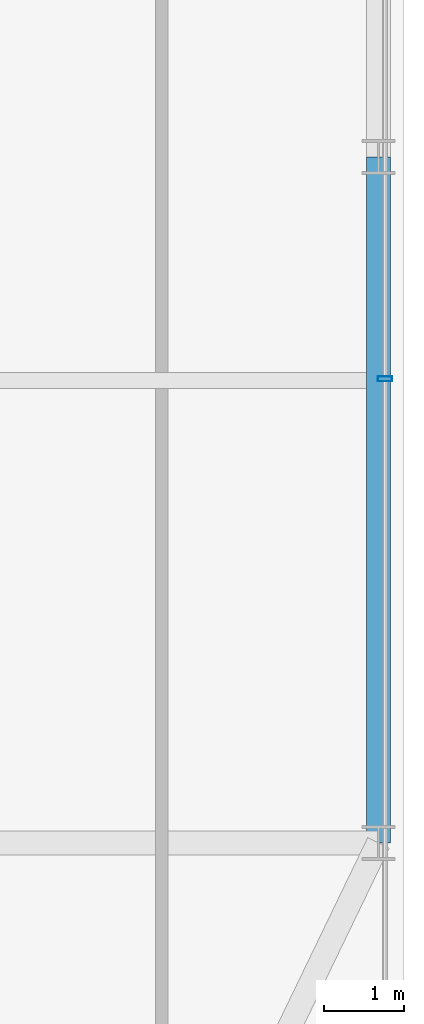
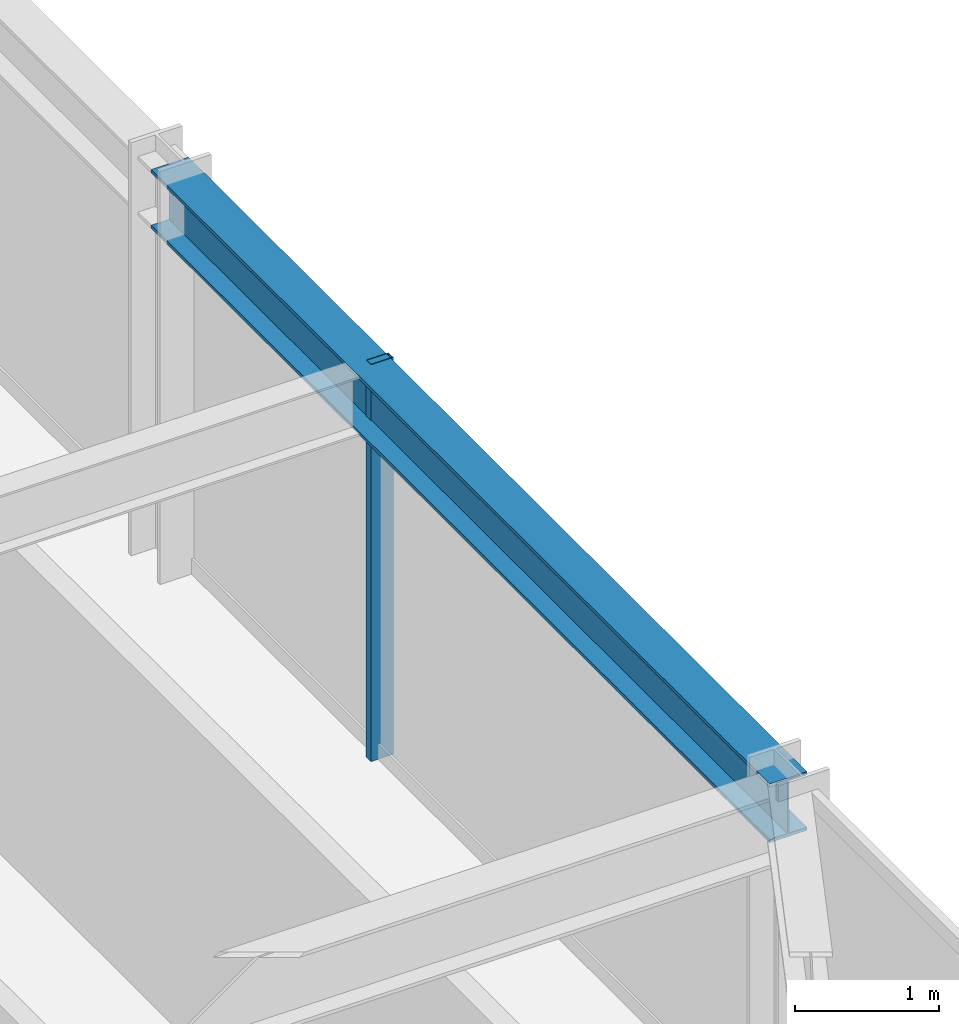
# One storey, part 15 of 36: 1 beam, 1 member, 1 element without a shape of its own.
"""IFC4 building model written with IfcOpenShell, lengths in metres."""

import ifcopenshell
import ifcopenshell.guid

model = None  # the IFC model being written
_history = None  # IfcOwnerHistory: only IFC2X3 demands one
_inside = {}  # id of a spatial element -> (the spatial element, [elements in it])
_under = {}  # id of a project, library or spatial element -> (it, [spatial elements below it])
_declared = {}  # id of a project -> (the project, [libraries it declares])
_typed = {}  # id of a type object -> (the type object, [elements of that type])
_made_of = {}  # id of a material, layer set ... -> (it, [elements and type objects made of it])


def new_model(schema):
    """Start an empty IFC model of exactly this schema.

    Asked for "IFC4X3", IfcOpenShell would pick the latest addendum, in which some entities
    have other attributes; the version numbers below select the first issue.
    IFC2X3 requires an IfcOwnerHistory on every rooted entity: one is made here for all.
    """
    global model, _history
    if schema == "IFC4X3":
        model = ifcopenshell.file(schema_version=(4, 3, 0, 0))
    else:
        model = ifcopenshell.file(schema=schema)
    _inside.clear()
    _under.clear()
    _declared.clear()
    _typed.clear()
    _made_of.clear()
    _history = None
    if model.schema == "IFC2X3":
        org = make("IfcOrganization", Name="unknown")
        user = make(
            "IfcPersonAndOrganization",
            ThePerson=make("IfcPerson", FamilyName="unknown"),
            TheOrganization=org,
        )
        app = make(
            "IfcApplication",
            ApplicationDeveloper=org,
            Version="unknown",
            ApplicationFullName="unknown",
            ApplicationIdentifier="unknown",
        )
        _history = make(
            "IfcOwnerHistory",
            OwningUser=user,
            OwningApplication=app,
            ChangeAction="ADDED",
            CreationDate=0,
        )
    return model


def make(cls, **values):
    """One entity of the class cls with the attributes given. An attribute that is None is left unset."""
    return model.create_entity(
        cls, **{name: value for name, value in values.items() if value is not None}
    )


def rooted(cls, **values):
    """An entity with a GlobalId (a new one), such as an element, a storey or a relation."""
    return make(cls, GlobalId=ifcopenshell.guid.new(), OwnerHistory=_history, **values)


def si_unit(unit_type, name, prefix=None):
    """IfcSIUnit, for example si_unit("LENGTHUNIT", "METRE", prefix="MILLI")."""
    return make("IfcSIUnit", UnitType=unit_type, Prefix=prefix, Name=name)


def assignment(units):
    """IfcUnitAssignment: the units of a project."""
    return None if units is None else make("IfcUnitAssignment", Units=units)


def point(xyz):
    """IfcCartesianPoint."""
    return None if xyz is None else make("IfcCartesianPoint", Coordinates=xyz)


def direction(xyz):
    """IfcDirection."""
    return None if xyz is None else make("IfcDirection", DirectionRatios=xyz)


def frame(location, z_axis=None, x_axis=None):
    """IfcAxis2Placement3D, a coordinate frame: its origin and axes. An axis left out is left unset."""
    return make(
        "IfcAxis2Placement3D",
        Location=point(location),
        Axis=direction(z_axis),
        RefDirection=direction(x_axis),
    )


def frame_2d(location, x_axis=None):
    """IfcAxis2Placement2D, a coordinate frame in the plane: its origin and x axis."""
    return make(
        "IfcAxis2Placement2D", Location=point(location), RefDirection=direction(x_axis)
    )


def origin():
    """The frame at (0, 0, 0) with its axes left unset."""
    return frame((0.0, 0.0, 0.0))


def origin_2d():
    """The frame at (0, 0) in the plane with its x axis left unset."""
    return frame_2d((0.0, 0.0))


def place(relative_to, where):
    """IfcLocalPlacement: puts the frame where relative to a parent placement (None: the world)."""
    return make(
        "IfcLocalPlacement", PlacementRelTo=relative_to, RelativePlacement=where
    )


def context(
    kind, dimensions, precision=None, world=None, true_north=None, identifier=None
):
    """IfcGeometricRepresentationContext, for example the 3D "Model" context."""
    return make(
        "IfcGeometricRepresentationContext",
        ContextIdentifier=identifier,
        ContextType=kind,
        CoordinateSpaceDimension=dimensions,
        Precision=precision,
        WorldCoordinateSystem=world,
        TrueNorth=true_north,
    )


def subcontext(parent, identifier, kind, view, scale=None):
    """IfcGeometricRepresentationSubContext, for example "Body" below "Model"."""
    return make(
        "IfcGeometricRepresentationSubContext",
        ContextIdentifier=identifier,
        ContextType=kind,
        ParentContext=parent,
        TargetScale=scale,
        TargetView=view,
    )


def project(units=None, contexts=None):
    """IfcProject with its units and contexts."""
    return rooted(
        "IfcProject",
        Name="project",
        RepresentationContexts=contexts,
        UnitsInContext=assignment(units),
    )


def spatial(cls, under=None, at=None, **own):
    """A site, building, storey or space (cls), placed at a placement, below another one or the project."""
    s = rooted(cls, ObjectPlacement=at, **own)
    if under is not None:
        _under.setdefault(under.id(), (under, []))[1].append(s)
    return s


def profile(cls, at=None, kind="AREA", **sizes):
    """A parametric profile (cls). Its sizes go by their IFC names, for example OverallWidth=200.0."""
    return make(cls, ProfileType=kind, Position=at, **sizes)


def hollow_rectangle(**sizes):
    """IfcRectangleHollowProfileDef."""
    return profile("IfcRectangleHollowProfileDef", **sizes)


def i_section(**sizes):
    """IfcIShapeProfileDef."""
    return profile("IfcIShapeProfileDef", **sizes)


def extrude(swept, where, along, depth):
    """IfcExtrudedAreaSolid: the profile swept, set in the frame where, extruded along a direction by depth."""
    return make(
        "IfcExtrudedAreaSolid",
        SweptArea=swept,
        Position=where,
        ExtrudedDirection=direction(along),
        Depth=depth,
    )


def shape(context_of_items, identifier, shape_type, items):
    """IfcShapeRepresentation: the items that make up one representation, for example the "Body"."""
    return make(
        "IfcShapeRepresentation",
        ContextOfItems=context_of_items,
        RepresentationIdentifier=identifier,
        RepresentationType=shape_type,
        Items=items,
    )


def source(mapping_origin, context_of_items, identifier, shape_type, items):
    """IfcRepresentationMap: a shape defined once, which mapped items show again and again."""
    return make(
        "IfcRepresentationMap",
        MappingOrigin=mapping_origin,
        MappedRepresentation=shape(context_of_items, identifier, shape_type, items),
    )


def transform(
    local_origin,
    x_axis=None,
    y_axis=None,
    z_axis=None,
    scale=None,
    scale2=None,
    scale3=None,
    uniform=True,
):
    """IfcCartesianTransformationOperator3D, or its non-uniform kind. x_axis, y_axis, z_axis: its Axis1, 2, 3."""
    if uniform:
        return make(
            "IfcCartesianTransformationOperator3D",
            Axis1=direction(x_axis),
            Axis2=direction(y_axis),
            LocalOrigin=point(local_origin),
            Scale=scale,
            Axis3=direction(z_axis),
        )
    return make(
        "IfcCartesianTransformationOperator3DnonUniform",
        Axis1=direction(x_axis),
        Axis2=direction(y_axis),
        LocalOrigin=point(local_origin),
        Scale=scale,
        Axis3=direction(z_axis),
        Scale2=scale2,
        Scale3=scale3,
    )


def mapped(mapping_source, mapping_target):
    """IfcMappedItem: shows the shape of a source again, moved by a transform."""
    return make(
        "IfcMappedItem", MappingSource=mapping_source, MappingTarget=mapping_target
    )


def material(Name=None, Category=None):
    """IfcMaterial."""
    return make("IfcMaterial", Name=Name, Category=Category)


def material_profile(
    of_material, cross_section, Name=None, Category=None, Priority=None
):
    """IfcMaterialProfile: a cross section and its material."""
    return make(
        "IfcMaterialProfile",
        Name=Name,
        Material=of_material,
        Profile=cross_section,
        Priority=Priority,
        Category=Category,
    )


def profile_set(profiles, Name=None, composite=None):
    """IfcMaterialProfileSet."""
    return make(
        "IfcMaterialProfileSet",
        Name=Name,
        MaterialProfiles=profiles,
        CompositeProfile=composite,
    )


def made_of(thing, what):
    """Note that an element or type object is made of a material, layer set ...; save() writes the relation."""
    if what is not None:
        _made_of.setdefault(what.id(), (what, []))[1].append(thing)
    return thing


def type_object(cls, material=None, **own):
    """A type object (cls), such as IfcWallType, which elements share."""
    return made_of(rooted(cls, **own), material)


def element(
    cls,
    number,
    at=None,
    inside=None,
    cuts=None,
    type_object=None,
    material=None,
    context=None,
    identifier="Body",
    shape_type=None,
    held_by="IfcProductDefinitionShape",
    body=None,
    shapes=None,
    **own,
):
    """One element of the class cls, such as IfcWall. Its Tag is "e" and its number.

    at: its placement. inside: the storey or other place that contains it. cuts: it is an
    opening in that element (IfcRelVoidsElement). A single representation is given by context,
    identifier, shape_type and body (its items); several are given by shapes. held_by: the class
    of the entity that holds the representations. save() writes the other relations.
    """
    e = rooted(cls, Tag="e%d" % number, ObjectPlacement=at, **own)
    if body is not None:
        shapes = [shape(context, identifier, shape_type, body)]
    if shapes is not None:
        e.Representation = make(held_by, Representations=shapes)
    if inside is not None:
        _inside.setdefault(inside.id(), (inside, []))[1].append(e)
    if cuts is not None:
        rooted(
            "IfcRelVoidsElement", RelatingBuildingElement=cuts, RelatedOpeningElement=e
        )
    if type_object is not None:
        _typed.setdefault(type_object.id(), (type_object, []))[1].append(e)
    return made_of(e, material)


def aggregate(whole, parts):
    """IfcRelAggregates: a whole, such as a stair, and the parts it consists of."""
    return rooted("IfcRelAggregates", RelatingObject=whole, RelatedObjects=parts)


def save(model, path):
    """Write the relations noted so far, then the file.

    IfcRelAggregates (storeys below a building ...), IfcRelContainedInSpatialStructure (elements
    in a storey), IfcRelDefinesByType, IfcRelAssociatesMaterial and IfcRelDeclares: one each for
    every whole, place, type object, material and project.
    """
    for whole, parts in _under.values():
        aggregate(whole, parts)
    for where, things in _inside.values():
        rooted(
            "IfcRelContainedInSpatialStructure",
            RelatedElements=things,
            RelatingStructure=where,
        )
    for kind, things in _typed.values():
        rooted("IfcRelDefinesByType", RelatedObjects=things, RelatingType=kind)
    for what, things in _made_of.values():
        rooted("IfcRelAssociatesMaterial", RelatedObjects=things, RelatingMaterial=what)
    for by, libraries in _declared.values():
        rooted("IfcRelDeclares", RelatingContext=by, RelatedDefinitions=libraries)
    model.write(path)


model = new_model("IFC4")

# Units and contexts
model_context = context("Model", 3, precision=1e-05, world=origin(), true_north=direction((0.0, 1.0)))
body_context = subcontext(model_context, "Body", "Model", "MODEL_VIEW")
ifc_project = project(units=[si_unit("LENGTHUNIT", "METRE"), si_unit("AREAUNIT", "SQUARE_METRE"), si_unit("VOLUMEUNIT", "CUBIC_METRE"), si_unit("PLANEANGLEUNIT", "RADIAN"), si_unit("MASSUNIT", "GRAM", prefix="KILO")], contexts=[model_context])

# Site, building, storey
site_placement = place(None, origin())
site = spatial("IfcSite", under=ifc_project, at=site_placement, CompositionType="ELEMENT")
building_placement = place(site_placement, origin())
building = spatial("IfcBuilding", under=site, at=building_placement, Name="Nahalor Promenade Grand Hotel", CompositionType="ELEMENT")
storey_placement = place(building_placement, frame((0.0, 0.0, 76.199951171875)))
storey = spatial("IfcBuildingStorey", under=building, at=storey_placement, Name="L18", CompositionType="ELEMENT", Elevation=76.199951171875)

# Beam
ifc_material_1 = material(Name="Steel S355JR", Category="steel")
ifc_material_profile_1 = material_profile(ifc_material_1, i_section(OverallWidth=0.3, OverallDepth=0.5, WebThickness=0.0145, FlangeThickness=0.028, at=origin_2d()), Name="HEB 500")
ifc_profile_set_1 = profile_set([ifc_material_profile_1], Name="Steel S355JR")
beam_type = type_object("IfcBeamType", Name="Beam-Spandrel-HEB500", PredefinedType="SPANDREL", material=ifc_profile_set_1)
shared_shape_1 = source(origin(), body_context, "Body", "SweptSolid", [
    extrude(i_section(OverallWidth=0.3, OverallDepth=0.5, WebThickness=0.0145, FlangeThickness=0.028, at=origin_2d()), origin(), (0.0, 0.0, 1.0), 8.60009765625),
])
beam_placement = place(storey_placement, frame((25.080078125, -17.0, 3.1201171875), z_axis=(0.0, 1.0, 0.0), x_axis=(-1.0, 0.0, 0.0)))
element("IfcBeam", 1, at=beam_placement, inside=storey, type_object=beam_type, Name="BM-L18-SP-E-0", PredefinedType="SPANDREL", context=body_context, shape_type="MappedRepresentation", body=[
    mapped(shared_shape_1, transform((0.0, 0.0, 0.0), scale=1.0)),
])

# Curtain wall, member
ifc_material_2 = material(Name="Anodised Bronze Aluminium EN AW-6063 T6", Category="aluminium")
curtain_wall_type = type_object("IfcCurtainWallType", Name="CW2 Typical Hotel Flush Bronze Unitised Curtain Wall", PredefinedType="USERDEFINED", material=ifc_material_2)
curtain_wall_placement = place(storey_placement, origin())
curtain_wall = element("IfcCurtainWall", 2, at=curtain_wall_placement, inside=storey, type_object=curtain_wall_type, Name="L18 Curtain Wall CW-L18-E-1", ObjectType="UNITISED_CURTAIN_WALL", PredefinedType="USERDEFINED")
ifc_material_profile_2 = material_profile(ifc_material_2, hollow_rectangle(XDim=0.065, YDim=0.18, WallThickness=0.004, at=origin_2d()), Name="CWM 65x180x4")
ifc_profile_set_2 = profile_set([ifc_material_profile_2], Name="Anodised Bronze Aluminium EN AW-6063 T6")
member_type = type_object("IfcMemberType", Name="CWM2 Typical Bronze Mullion 65x180", PredefinedType="MULLION", material=ifc_profile_set_2)
shared_shape_2 = source(origin(), body_context, "Body", "SweptSolid", [
    extrude(hollow_rectangle(XDim=0.065, YDim=0.18, WallThickness=0.004, at=origin_2d()), origin(), (0.0, 0.0, 1.0), 3.3701171875),
])
member_placement = place(storey_placement, frame((25.159912109375, -11.179931640625, 0.0), z_axis=(0.0, 0.0, 1.0), x_axis=(0.0, 1.0, 0.0)))
member = element("IfcMember", 3, at=member_placement, type_object=member_type, Name="CW-L18-E-1 Mullion 1", PredefinedType="MULLION", context=body_context, shape_type="MappedRepresentation", body=[
    mapped(shared_shape_2, transform((0.0, 0.0, 0.0), scale=1.0)),
])
aggregate(curtain_wall, [member])

save(model, "model.ifc")
